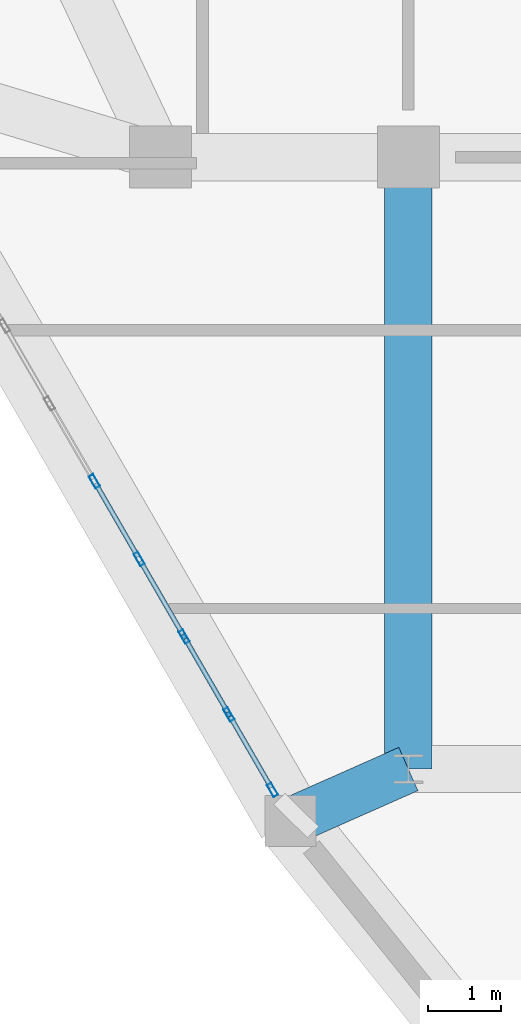
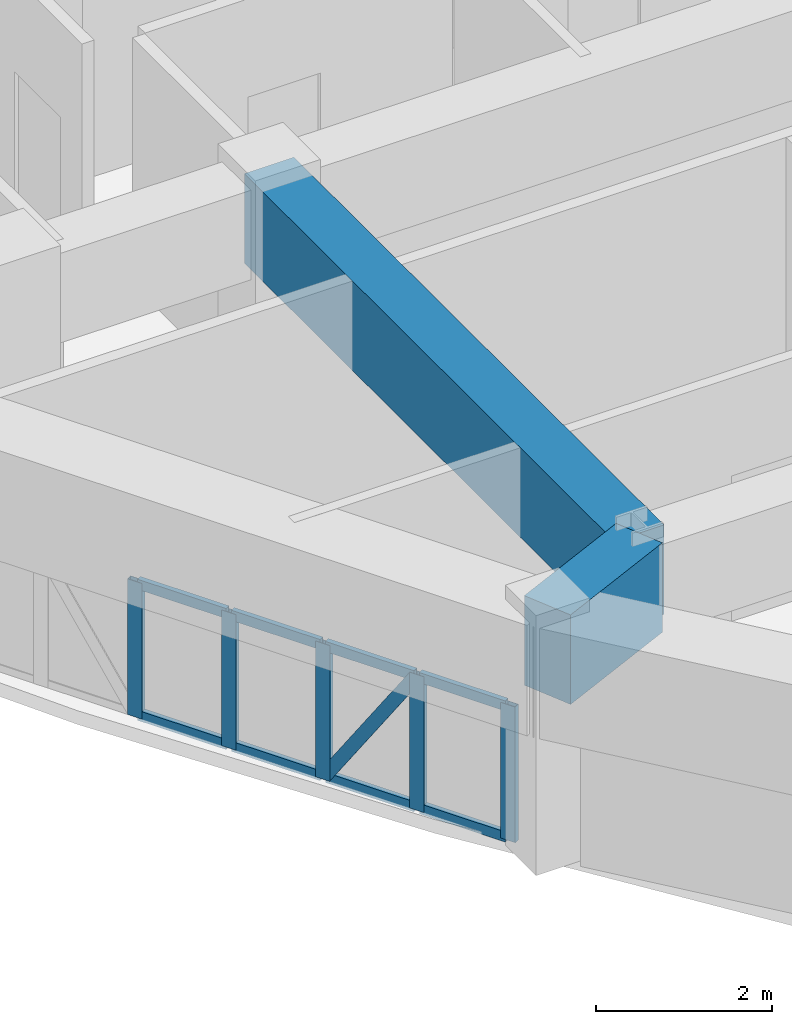
# One storey, part 2 of 15: 14 members, 2 beams, 1 element without a shape of its own.
"""IFC4 building model written with IfcOpenShell, lengths in metres."""

import ifcopenshell
import ifcopenshell.guid

model = None  # the IFC model being written
_history = None  # IfcOwnerHistory: only IFC2X3 demands one
_inside = {}  # id of a spatial element -> (the spatial element, [elements in it])
_under = {}  # id of a project, library or spatial element -> (it, [spatial elements below it])
_declared = {}  # id of a project -> (the project, [libraries it declares])
_typed = {}  # id of a type object -> (the type object, [elements of that type])
_made_of = {}  # id of a material, layer set ... -> (it, [elements and type objects made of it])


def new_model(schema):
    """Start an empty IFC model of exactly this schema.

    Asked for "IFC4X3", IfcOpenShell would pick the latest addendum, in which some entities
    have other attributes; the version numbers below select the first issue.
    IFC2X3 requires an IfcOwnerHistory on every rooted entity: one is made here for all.
    """
    global model, _history
    if schema == "IFC4X3":
        model = ifcopenshell.file(schema_version=(4, 3, 0, 0))
    else:
        model = ifcopenshell.file(schema=schema)
    _inside.clear()
    _under.clear()
    _declared.clear()
    _typed.clear()
    _made_of.clear()
    _history = None
    if model.schema == "IFC2X3":
        org = make("IfcOrganization", Name="unknown")
        user = make(
            "IfcPersonAndOrganization",
            ThePerson=make("IfcPerson", FamilyName="unknown"),
            TheOrganization=org,
        )
        app = make(
            "IfcApplication",
            ApplicationDeveloper=org,
            Version="unknown",
            ApplicationFullName="unknown",
            ApplicationIdentifier="unknown",
        )
        _history = make(
            "IfcOwnerHistory",
            OwningUser=user,
            OwningApplication=app,
            ChangeAction="ADDED",
            CreationDate=0,
        )
    return model


def make(cls, **values):
    """One entity of the class cls with the attributes given. An attribute that is None is left unset."""
    return model.create_entity(
        cls, **{name: value for name, value in values.items() if value is not None}
    )


def rooted(cls, **values):
    """An entity with a GlobalId (a new one), such as an element, a storey or a relation."""
    return make(cls, GlobalId=ifcopenshell.guid.new(), OwnerHistory=_history, **values)


def si_unit(unit_type, name, prefix=None):
    """IfcSIUnit, for example si_unit("LENGTHUNIT", "METRE", prefix="MILLI")."""
    return make("IfcSIUnit", UnitType=unit_type, Prefix=prefix, Name=name)


def derived_unit(unit_type, elements):
    """IfcDerivedUnit: a product of units, each with its exponent."""
    return make(
        "IfcDerivedUnit",
        Elements=[
            make("IfcDerivedUnitElement", Unit=unit, Exponent=power)
            for unit, power in elements
        ],
        UnitType=unit_type,
    )


def assignment(units):
    """IfcUnitAssignment: the units of a project."""
    return None if units is None else make("IfcUnitAssignment", Units=units)


def point(xyz):
    """IfcCartesianPoint."""
    return None if xyz is None else make("IfcCartesianPoint", Coordinates=xyz)


def direction(xyz):
    """IfcDirection."""
    return None if xyz is None else make("IfcDirection", DirectionRatios=xyz)


def frame(location, z_axis=None, x_axis=None):
    """IfcAxis2Placement3D, a coordinate frame: its origin and axes. An axis left out is left unset."""
    return make(
        "IfcAxis2Placement3D",
        Location=point(location),
        Axis=direction(z_axis),
        RefDirection=direction(x_axis),
    )


def frame_2d(location, x_axis=None):
    """IfcAxis2Placement2D, a coordinate frame in the plane: its origin and x axis."""
    return make(
        "IfcAxis2Placement2D", Location=point(location), RefDirection=direction(x_axis)
    )


def origin():
    """The frame at (0, 0, 0) with its axes left unset."""
    return frame((0.0, 0.0, 0.0))


def origin_2d():
    """The frame at (0, 0) in the plane with its x axis left unset."""
    return frame_2d((0.0, 0.0))


def place(relative_to, where):
    """IfcLocalPlacement: puts the frame where relative to a parent placement (None: the world)."""
    return make(
        "IfcLocalPlacement", PlacementRelTo=relative_to, RelativePlacement=where
    )


def context(
    kind, dimensions, precision=None, world=None, true_north=None, identifier=None
):
    """IfcGeometricRepresentationContext, for example the 3D "Model" context."""
    return make(
        "IfcGeometricRepresentationContext",
        ContextIdentifier=identifier,
        ContextType=kind,
        CoordinateSpaceDimension=dimensions,
        Precision=precision,
        WorldCoordinateSystem=world,
        TrueNorth=true_north,
    )


def subcontext(parent, identifier, kind, view, scale=None):
    """IfcGeometricRepresentationSubContext, for example "Body" below "Model"."""
    return make(
        "IfcGeometricRepresentationSubContext",
        ContextIdentifier=identifier,
        ContextType=kind,
        ParentContext=parent,
        TargetScale=scale,
        TargetView=view,
    )


def project(units=None, contexts=None):
    """IfcProject with its units and contexts."""
    return rooted(
        "IfcProject",
        Name="project",
        RepresentationContexts=contexts,
        UnitsInContext=assignment(units),
    )


def spatial(cls, under=None, at=None, **own):
    """A site, building, storey or space (cls), placed at a placement, below another one or the project."""
    s = rooted(cls, ObjectPlacement=at, **own)
    if under is not None:
        _under.setdefault(under.id(), (under, []))[1].append(s)
    return s


def profile(cls, at=None, kind="AREA", **sizes):
    """A parametric profile (cls). Its sizes go by their IFC names, for example OverallWidth=200.0."""
    return make(cls, ProfileType=kind, Position=at, **sizes)


def rectangle(**sizes):
    """IfcRectangleProfileDef."""
    return profile("IfcRectangleProfileDef", **sizes)


def hollow_rectangle(**sizes):
    """IfcRectangleHollowProfileDef."""
    return profile("IfcRectangleHollowProfileDef", **sizes)


def extrude(swept, where, along, depth):
    """IfcExtrudedAreaSolid: the profile swept, set in the frame where, extruded along a direction by depth."""
    return make(
        "IfcExtrudedAreaSolid",
        SweptArea=swept,
        Position=where,
        ExtrudedDirection=direction(along),
        Depth=depth,
    )


def shape(context_of_items, identifier, shape_type, items):
    """IfcShapeRepresentation: the items that make up one representation, for example the "Body"."""
    return make(
        "IfcShapeRepresentation",
        ContextOfItems=context_of_items,
        RepresentationIdentifier=identifier,
        RepresentationType=shape_type,
        Items=items,
    )


def source(mapping_origin, context_of_items, identifier, shape_type, items):
    """IfcRepresentationMap: a shape defined once, which mapped items show again and again."""
    return make(
        "IfcRepresentationMap",
        MappingOrigin=mapping_origin,
        MappedRepresentation=shape(context_of_items, identifier, shape_type, items),
    )


def transform(
    local_origin,
    x_axis=None,
    y_axis=None,
    z_axis=None,
    scale=None,
    scale2=None,
    scale3=None,
    uniform=True,
):
    """IfcCartesianTransformationOperator3D, or its non-uniform kind. x_axis, y_axis, z_axis: its Axis1, 2, 3."""
    if uniform:
        return make(
            "IfcCartesianTransformationOperator3D",
            Axis1=direction(x_axis),
            Axis2=direction(y_axis),
            LocalOrigin=point(local_origin),
            Scale=scale,
            Axis3=direction(z_axis),
        )
    return make(
        "IfcCartesianTransformationOperator3DnonUniform",
        Axis1=direction(x_axis),
        Axis2=direction(y_axis),
        LocalOrigin=point(local_origin),
        Scale=scale,
        Axis3=direction(z_axis),
        Scale2=scale2,
        Scale3=scale3,
    )


def mapped(mapping_source, mapping_target):
    """IfcMappedItem: shows the shape of a source again, moved by a transform."""
    return make(
        "IfcMappedItem", MappingSource=mapping_source, MappingTarget=mapping_target
    )


def material(Name=None, Category=None):
    """IfcMaterial."""
    return make("IfcMaterial", Name=Name, Category=Category)


def layer(
    of_material, thickness, ventilated=None, Name=None, Category=None, Priority=None
):
    """IfcMaterialLayer: one layer of a wall or slab, of a material (None: an air gap)."""
    return make(
        "IfcMaterialLayer",
        Material=of_material,
        LayerThickness=thickness,
        IsVentilated=ventilated,
        Name=Name,
        Category=Category,
        Priority=Priority,
    )


def layer_set(layers, Name=None):
    """IfcMaterialLayerSet."""
    return make("IfcMaterialLayerSet", MaterialLayers=layers, LayerSetName=Name)


def material_profile(
    of_material, cross_section, Name=None, Category=None, Priority=None
):
    """IfcMaterialProfile: a cross section and its material."""
    return make(
        "IfcMaterialProfile",
        Name=Name,
        Material=of_material,
        Profile=cross_section,
        Priority=Priority,
        Category=Category,
    )


def profile_set(profiles, Name=None, composite=None):
    """IfcMaterialProfileSet."""
    return make(
        "IfcMaterialProfileSet",
        Name=Name,
        MaterialProfiles=profiles,
        CompositeProfile=composite,
    )


def made_of(thing, what):
    """Note that an element or type object is made of a material, layer set ...; save() writes the relation."""
    if what is not None:
        _made_of.setdefault(what.id(), (what, []))[1].append(thing)
    return thing


def type_object(cls, material=None, **own):
    """A type object (cls), such as IfcWallType, which elements share."""
    return made_of(rooted(cls, **own), material)


def element(
    cls,
    number,
    at=None,
    inside=None,
    cuts=None,
    type_object=None,
    material=None,
    context=None,
    identifier="Body",
    shape_type=None,
    held_by="IfcProductDefinitionShape",
    body=None,
    shapes=None,
    **own,
):
    """One element of the class cls, such as IfcWall. Its Tag is "e" and its number.

    at: its placement. inside: the storey or other place that contains it. cuts: it is an
    opening in that element (IfcRelVoidsElement). A single representation is given by context,
    identifier, shape_type and body (its items); several are given by shapes. held_by: the class
    of the entity that holds the representations. save() writes the other relations.
    """
    e = rooted(cls, Tag="e%d" % number, ObjectPlacement=at, **own)
    if body is not None:
        shapes = [shape(context, identifier, shape_type, body)]
    if shapes is not None:
        e.Representation = make(held_by, Representations=shapes)
    if inside is not None:
        _inside.setdefault(inside.id(), (inside, []))[1].append(e)
    if cuts is not None:
        rooted(
            "IfcRelVoidsElement", RelatingBuildingElement=cuts, RelatedOpeningElement=e
        )
    if type_object is not None:
        _typed.setdefault(type_object.id(), (type_object, []))[1].append(e)
    return made_of(e, material)


def aggregate(whole, parts):
    """IfcRelAggregates: a whole, such as a stair, and the parts it consists of."""
    return rooted("IfcRelAggregates", RelatingObject=whole, RelatedObjects=parts)


def save(model, path):
    """Write the relations noted so far, then the file.

    IfcRelAggregates (storeys below a building ...), IfcRelContainedInSpatialStructure (elements
    in a storey), IfcRelDefinesByType, IfcRelAssociatesMaterial and IfcRelDeclares: one each for
    every whole, place, type object, material and project.
    """
    for whole, parts in _under.values():
        aggregate(whole, parts)
    for where, things in _inside.values():
        rooted(
            "IfcRelContainedInSpatialStructure",
            RelatedElements=things,
            RelatingStructure=where,
        )
    for kind, things in _typed.values():
        rooted("IfcRelDefinesByType", RelatedObjects=things, RelatingType=kind)
    for what, things in _made_of.values():
        rooted("IfcRelAssociatesMaterial", RelatedObjects=things, RelatingMaterial=what)
    for by, libraries in _declared.values():
        rooted("IfcRelDeclares", RelatingContext=by, RelatedDefinitions=libraries)
    model.write(path)


model = new_model("IFC4")

# Units and contexts
model_context = context("Model", 3, precision=1e-05, world=origin(), true_north=direction((0.0, 1.0)))
body_context = subcontext(model_context, "Body", "Model", "MODEL_VIEW")
ifc_project = project(units=[si_unit("LENGTHUNIT", "METRE"), si_unit("AREAUNIT", "SQUARE_METRE"), si_unit("VOLUMEUNIT", "CUBIC_METRE"), si_unit("PLANEANGLEUNIT", "RADIAN"), si_unit("MASSUNIT", "GRAM", prefix="KILO"), derived_unit("THERMALTRANSMITTANCEUNIT", [(si_unit("POWERUNIT", "WATT"), 1), (si_unit("LENGTHUNIT", "METRE"), -2), (si_unit("THERMODYNAMICTEMPERATUREUNIT", "KELVIN"), -1)])], contexts=[model_context])

# Site, building, storey
site_placement = place(None, origin())
site = spatial("IfcSite", under=ifc_project, at=site_placement, CompositionType="ELEMENT")
building_placement = place(site_placement, origin())
building = spatial("IfcBuilding", under=site, at=building_placement, Name="Korsvarv Bourse and Concert Hall", CompositionType="ELEMENT")
storey_placement = place(building_placement, frame((0.0, 0.0, 250.199951171875)))
storey = spatial("IfcBuildingStorey", under=building, at=storey_placement, Name="L65", CompositionType="ELEMENT", Elevation=250.199951171875)

# Beams
ifc_material_1 = material(Name="Concrete C50/60", Category="concrete")
ifc_material_profile_1 = material_profile(ifc_material_1, rectangle(XDim=0.64990234375, YDim=1.239990234375, at=origin_2d()), Name="RC-BM 650x1240")
ifc_profile_set_1 = profile_set([ifc_material_profile_1], Name="Concrete C50/60")
beam_type = type_object("IfcBeamType", Name="BM-TR-SPN", PredefinedType="BEAM", material=ifc_profile_set_1)
shared_shape_1 = source(origin(), body_context, "Body", "SweptSolid", [
    extrude(rectangle(XDim=0.64990234375, YDim=1.239990234375, at=origin_2d()), origin(), (0.0, 0.0, 1.0), 8.39990234375),
])
beam_1_placement = place(storey_placement, frame((27.60009765625, 24.0, 2.7900390625), z_axis=(0.0, 1.0, 0.0), x_axis=(-1.0, 0.0, 0.0)))
element("IfcBeam", 1, at=beam_1_placement, inside=storey, type_object=beam_type, Name="L65 beam B-TRS", PredefinedType="BEAM", context=body_context, shape_type="MappedRepresentation", body=[
    mapped(shared_shape_1, transform((0.0, 0.0, 0.0), scale=1.0)),
])
shared_shape_2 = source(origin(), body_context, "Body", "SweptSolid", [
    extrude(rectangle(XDim=0.64990234375, YDim=1.239990234375, at=origin_2d()), origin(), (0.0, 0.0, 1.0), 1.768310546875),
])
beam_2_placement = place(storey_placement, frame((25.9833984375, 23.28369140625, 2.7900390625), z_axis=(0.914277809645, 0.405087751963, 0.0), x_axis=(-0.405087751963, 0.914277809645, 0.0)))
element("IfcBeam", 2, at=beam_2_placement, inside=storey, type_object=beam_type, Name="L65 beam B-TRS", PredefinedType="BEAM", context=body_context, shape_type="MappedRepresentation", body=[
    mapped(shared_shape_2, transform((0.0, 0.0, 0.0), scale=1.0)),
])

# Curtain wall, members
ifc_material_2 = material(Name="Anodised aluminium and triple low-E glazing", Category="glass")
ifc_layer = layer(ifc_material_2, 0.199951171875)
ifc_layer_set = layer_set([ifc_layer], Name="Anodised aluminium and triple low-E glazing")
curtain_wall_type = type_object("IfcCurtainWallType", Name="CW-SYS-3", PredefinedType="NOTDEFINED", material=ifc_layer_set)
curtain_wall_placement = place(storey_placement, origin())
curtain_wall = element("IfcCurtainWall", 3, at=curtain_wall_placement, inside=storey, type_object=curtain_wall_type, Name="L65 CW3 curtain wall CW-L65-F07", PredefinedType="NOTDEFINED")
ifc_material_3 = material(Name="Extruded aluminium EN AW-6063 T66", Category="aluminium")
ifc_material_profile_2 = material_profile(ifc_material_3, hollow_rectangle(XDim=0.070068359375, YDim=0.18994140625, WallThickness=0.0048828125, at=origin_2d()), Name="ALU-M 70x190")
ifc_profile_set_2 = profile_set([ifc_material_profile_2], Name="Extruded aluminium EN AW-6063 T66")
member_type_1 = type_object("IfcMemberType", Name="CWM-190", PredefinedType="MULLION", material=ifc_profile_set_2)
shared_shape_3 = source(origin(), body_context, "Body", "SweptSolid", [
    extrude(hollow_rectangle(XDim=0.070068359375, YDim=0.18994140625, WallThickness=0.0048828125, at=origin_2d()), origin(), (0.0, 0.0, 1.0), 1.880126953125),
])
member_1_placement = place(storey_placement, frame((23.289306640625, 27.950439453125, 0.0), z_axis=(0.0, 0.0, 1.0), x_axis=(0.866021686907, 0.500006437765, 0.0)))
member_1 = element("IfcMember", 4, at=member_1_placement, type_object=member_type_1, Name="CW3 mullion 6", PredefinedType="MULLION", context=body_context, shape_type="MappedRepresentation", body=[
    mapped(shared_shape_3, transform((0.0, 0.0, 0.0), scale=1.0)),
])
member_2_placement = place(storey_placement, frame((23.905029296875, 26.883544921875, 0.0), z_axis=(0.0, 0.0, 1.0), x_axis=(0.866021686907, 0.500006437765, 0.0)))
member_2 = element("IfcMember", 5, at=member_2_placement, type_object=member_type_1, Name="CW3 mullion 7", PredefinedType="MULLION", context=body_context, shape_type="MappedRepresentation", body=[
    mapped(shared_shape_3, transform((0.0, 0.0, 0.0), scale=1.0)),
])
member_3_placement = place(storey_placement, frame((24.52099609375, 25.81689453125, 0.0), z_axis=(0.0, 0.0, 1.0), x_axis=(0.866021686907, 0.500006437765, 0.0)))
member_3 = element("IfcMember", 6, at=member_3_placement, type_object=member_type_1, Name="CW3 mullion 8", PredefinedType="MULLION", context=body_context, shape_type="MappedRepresentation", body=[
    mapped(shared_shape_3, transform((0.0, 0.0, 0.0), scale=1.0)),
])
member_4_placement = place(storey_placement, frame((25.13671875, 24.750244140625, 0.0), z_axis=(0.0, 0.0, 1.0), x_axis=(0.866021686907, 0.500006437765, 0.0)))
member_4 = element("IfcMember", 7, at=member_4_placement, type_object=member_type_1, Name="CW3 mullion 9", PredefinedType="MULLION", context=body_context, shape_type="MappedRepresentation", body=[
    mapped(shared_shape_3, transform((0.0, 0.0, 0.0), scale=1.0)),
])
member_5_placement = place(storey_placement, frame((25.735107421875, 23.714111328125, 0.0), z_axis=(0.0, 0.0, 1.0), x_axis=(0.866021686907, 0.500006437765, 0.0)))
member_5 = element("IfcMember", 8, at=member_5_placement, type_object=member_type_1, Name="CW3 mullion 10", PredefinedType="MULLION", context=body_context, shape_type="MappedRepresentation", body=[
    mapped(shared_shape_3, transform((0.0, 0.0, 0.0), scale=1.0)),
])
ifc_material_profile_3 = material_profile(ifc_material_3, hollow_rectangle(XDim=0.06494140625, YDim=0.139892578125, WallThickness=0.00390625, at=origin_2d()), Name="ALU-T 65x140")
ifc_profile_set_3 = profile_set([ifc_material_profile_3], Name="Extruded aluminium EN AW-6063 T66")
member_type_2 = type_object("IfcMemberType", Name="CWT-140", PredefinedType="USERDEFINED", material=ifc_profile_set_3)
shared_shape_4 = source(origin(), body_context, "Body", "SweptSolid", [
    extrude(hollow_rectangle(XDim=0.06494140625, YDim=0.139892578125, WallThickness=0.00390625, at=origin_2d()), origin(), (0.0, 0.0, 1.0), 1.12646484375),
])
member_6_placement = place(storey_placement, frame((25.154296875, 24.719970703125, 0.032470703125), z_axis=(0.499985098601, -0.86603400694, 0.0), x_axis=(0.86603400694, 0.499985098601, 0.0)))
member_6 = element("IfcMember", 9, at=member_6_placement, type_object=member_type_2, Name="CW3 transom 9.1", ObjectType="TRANSOM", PredefinedType="USERDEFINED", context=body_context, shape_type="MappedRepresentation", body=[
    mapped(shared_shape_4, transform((0.0, 0.0, 0.0), scale=1.0)),
])
member_7_placement = place(storey_placement, frame((25.154296875, 24.719970703125, 1.84765625), z_axis=(0.499985098601, -0.86603400694, 0.0), x_axis=(0.86603400694, 0.499985098601, 0.0)))
member_7 = element("IfcMember", 10, at=member_7_placement, type_object=member_type_2, Name="CW3 transom 9.2", ObjectType="TRANSOM", PredefinedType="USERDEFINED", context=body_context, shape_type="MappedRepresentation", body=[
    mapped(shared_shape_4, transform((0.0, 0.0, 0.0), scale=1.0)),
])
shared_shape_5 = source(origin(), body_context, "Body", "SweptSolid", [
    extrude(hollow_rectangle(XDim=0.06494140625, YDim=0.139892578125, WallThickness=0.00390625, at=origin_2d()), origin(), (0.0, 0.0, 1.0), 1.16162109375),
])
member_8_placement = place(storey_placement, frame((23.306640625, 27.919921875, 0.032470703125), z_axis=(0.500049955442, -0.865996560076, 0.0), x_axis=(0.865996560076, 0.500049955442, 0.0)))
member_8 = element("IfcMember", 11, at=member_8_placement, type_object=member_type_2, Name="CW3 transom 6.1", ObjectType="TRANSOM", PredefinedType="USERDEFINED", context=body_context, shape_type="MappedRepresentation", body=[
    mapped(shared_shape_5, transform((0.0, 0.0, 0.0), scale=1.0)),
])
member_9_placement = place(storey_placement, frame((23.306640625, 27.919921875, 1.84765625), z_axis=(0.500049955442, -0.865996560076, 0.0), x_axis=(0.865996560076, 0.500049955442, 0.0)))
member_9 = element("IfcMember", 12, at=member_9_placement, type_object=member_type_2, Name="CW3 transom 6.2", ObjectType="TRANSOM", PredefinedType="USERDEFINED", context=body_context, shape_type="MappedRepresentation", body=[
    mapped(shared_shape_5, transform((0.0, 0.0, 0.0), scale=1.0)),
])
member_10_placement = place(storey_placement, frame((23.922607421875, 26.853271484375, 0.032470703125), z_axis=(0.500049955442, -0.865996560076, 0.0), x_axis=(0.865996560076, 0.500049955442, 0.0)))
member_10 = element("IfcMember", 13, at=member_10_placement, type_object=member_type_2, Name="CW3 transom 7.1", ObjectType="TRANSOM", PredefinedType="USERDEFINED", context=body_context, shape_type="MappedRepresentation", body=[
    mapped(shared_shape_5, transform((0.0, 0.0, 0.0), scale=1.0)),
])
member_11_placement = place(storey_placement, frame((23.922607421875, 26.853271484375, 1.84765625), z_axis=(0.500049955442, -0.865996560076, 0.0), x_axis=(0.865996560076, 0.500049955442, 0.0)))
member_11 = element("IfcMember", 14, at=member_11_placement, type_object=member_type_2, Name="CW3 transom 7.2", ObjectType="TRANSOM", PredefinedType="USERDEFINED", context=body_context, shape_type="MappedRepresentation", body=[
    mapped(shared_shape_5, transform((0.0, 0.0, 0.0), scale=1.0)),
])
member_12_placement = place(storey_placement, frame((24.538330078125, 25.78662109375, 0.032470703125), z_axis=(0.500049955442, -0.865996560076, 0.0), x_axis=(0.865996560076, 0.500049955442, 0.0)))
member_12 = element("IfcMember", 15, at=member_12_placement, type_object=member_type_2, Name="CW3 transom 8.1", ObjectType="TRANSOM", PredefinedType="USERDEFINED", context=body_context, shape_type="MappedRepresentation", body=[
    mapped(shared_shape_5, transform((0.0, 0.0, 0.0), scale=1.0)),
])
member_13_placement = place(storey_placement, frame((24.538330078125, 25.78662109375, 1.84765625), z_axis=(0.500049955442, -0.865996560076, 0.0), x_axis=(0.865996560076, 0.500049955442, 0.0)))
member_13 = element("IfcMember", 16, at=member_13_placement, type_object=member_type_2, Name="CW3 transom 8.2", ObjectType="TRANSOM", PredefinedType="USERDEFINED", context=body_context, shape_type="MappedRepresentation", body=[
    mapped(shared_shape_5, transform((0.0, 0.0, 0.0), scale=1.0)),
])
ifc_material_profile_4 = material_profile(ifc_material_3, hollow_rectangle(XDim=0.06494140625, YDim=0.1650390625, WallThickness=0.0048828125, at=origin_2d()), Name="ALU-M 65x165")
ifc_profile_set_4 = profile_set([ifc_material_profile_4], Name="Extruded aluminium EN AW-6063 T66")
member_type_3 = type_object("IfcMemberType", Name="CWM-165", PredefinedType="MULLION", material=ifc_profile_set_4)
shared_shape_6 = source(origin(), body_context, "Body", "SweptSolid", [
    extrude(hollow_rectangle(XDim=0.06494140625, YDim=0.1650390625, WallThickness=0.0048828125, at=origin_2d()), origin(), (0.0, 0.0, 1.0), 2.100341796875),
])
member_14_placement = place(storey_placement, frame((24.538330078125, 25.78662109375, 0.06494140625), z_axis=(0.276526480814, -0.478894115575, 0.833182771951), x_axis=(0.865996560076, 0.500049955442, 0.0)))
member_14 = element("IfcMember", 17, at=member_14_placement, type_object=member_type_3, Name="CW3 diagonal mullion 8", PredefinedType="MULLION", context=body_context, shape_type="MappedRepresentation", body=[
    mapped(shared_shape_6, transform((0.0, 0.0, 0.0), scale=1.0)),
])
aggregate(curtain_wall, [member_1, member_2, member_3, member_4, member_5, member_8, member_9, member_10, member_11, member_12, member_13, member_14, member_6, member_7])

save(model, "model.ifc")
